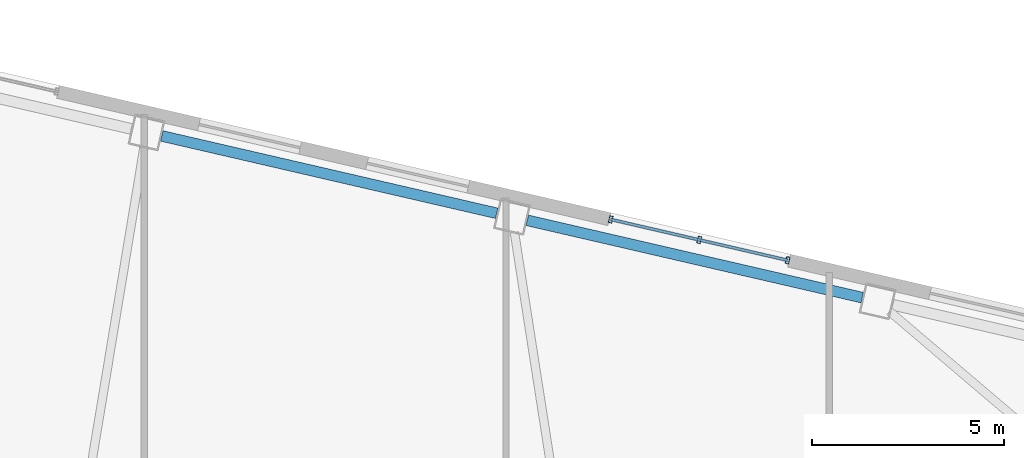
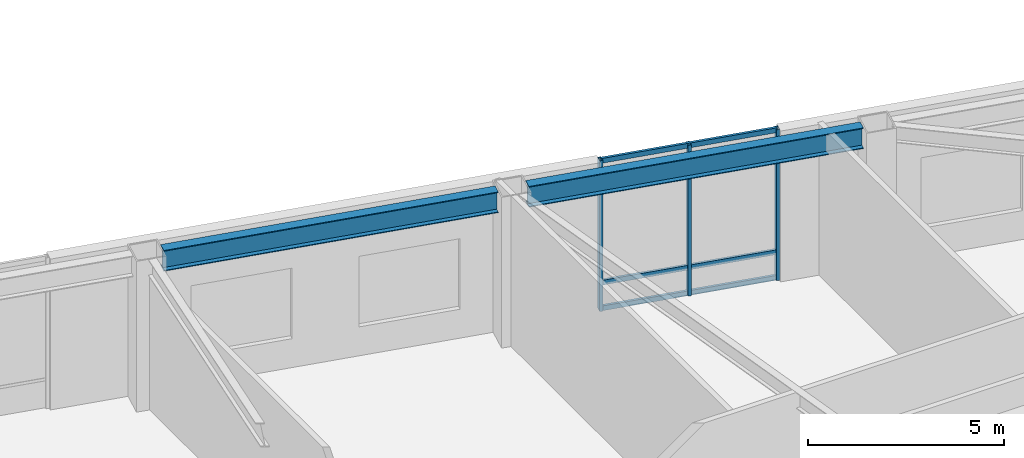
# One storey, part 7 of 20: 6 members, 2 beams, 1 element without a shape of its own.
"""IFC4 building model written with IfcOpenShell, lengths in metres."""

import ifcopenshell
import ifcopenshell.guid

model = None  # the IFC model being written
_history = None  # IfcOwnerHistory: only IFC2X3 demands one
_inside = {}  # id of a spatial element -> (the spatial element, [elements in it])
_under = {}  # id of a project, library or spatial element -> (it, [spatial elements below it])
_declared = {}  # id of a project -> (the project, [libraries it declares])
_typed = {}  # id of a type object -> (the type object, [elements of that type])
_made_of = {}  # id of a material, layer set ... -> (it, [elements and type objects made of it])


def new_model(schema):
    """Start an empty IFC model of exactly this schema.

    Asked for "IFC4X3", IfcOpenShell would pick the latest addendum, in which some entities
    have other attributes; the version numbers below select the first issue.
    IFC2X3 requires an IfcOwnerHistory on every rooted entity: one is made here for all.
    """
    global model, _history
    if schema == "IFC4X3":
        model = ifcopenshell.file(schema_version=(4, 3, 0, 0))
    else:
        model = ifcopenshell.file(schema=schema)
    _inside.clear()
    _under.clear()
    _declared.clear()
    _typed.clear()
    _made_of.clear()
    _history = None
    if model.schema == "IFC2X3":
        org = make("IfcOrganization", Name="unknown")
        user = make(
            "IfcPersonAndOrganization",
            ThePerson=make("IfcPerson", FamilyName="unknown"),
            TheOrganization=org,
        )
        app = make(
            "IfcApplication",
            ApplicationDeveloper=org,
            Version="unknown",
            ApplicationFullName="unknown",
            ApplicationIdentifier="unknown",
        )
        _history = make(
            "IfcOwnerHistory",
            OwningUser=user,
            OwningApplication=app,
            ChangeAction="ADDED",
            CreationDate=0,
        )
    return model


def make(cls, **values):
    """One entity of the class cls with the attributes given. An attribute that is None is left unset."""
    return model.create_entity(
        cls, **{name: value for name, value in values.items() if value is not None}
    )


def rooted(cls, **values):
    """An entity with a GlobalId (a new one), such as an element, a storey or a relation."""
    return make(cls, GlobalId=ifcopenshell.guid.new(), OwnerHistory=_history, **values)


def si_unit(unit_type, name, prefix=None):
    """IfcSIUnit, for example si_unit("LENGTHUNIT", "METRE", prefix="MILLI")."""
    return make("IfcSIUnit", UnitType=unit_type, Prefix=prefix, Name=name)


def assignment(units):
    """IfcUnitAssignment: the units of a project."""
    return None if units is None else make("IfcUnitAssignment", Units=units)


def point(xyz):
    """IfcCartesianPoint."""
    return None if xyz is None else make("IfcCartesianPoint", Coordinates=xyz)


def direction(xyz):
    """IfcDirection."""
    return None if xyz is None else make("IfcDirection", DirectionRatios=xyz)


def frame(location, z_axis=None, x_axis=None):
    """IfcAxis2Placement3D, a coordinate frame: its origin and axes. An axis left out is left unset."""
    return make(
        "IfcAxis2Placement3D",
        Location=point(location),
        Axis=direction(z_axis),
        RefDirection=direction(x_axis),
    )


def frame_2d(location, x_axis=None):
    """IfcAxis2Placement2D, a coordinate frame in the plane: its origin and x axis."""
    return make(
        "IfcAxis2Placement2D", Location=point(location), RefDirection=direction(x_axis)
    )


def origin():
    """The frame at (0, 0, 0) with its axes left unset."""
    return frame((0.0, 0.0, 0.0))


def origin_2d():
    """The frame at (0, 0) in the plane with its x axis left unset."""
    return frame_2d((0.0, 0.0))


def place(relative_to, where):
    """IfcLocalPlacement: puts the frame where relative to a parent placement (None: the world)."""
    return make(
        "IfcLocalPlacement", PlacementRelTo=relative_to, RelativePlacement=where
    )


def context(
    kind, dimensions, precision=None, world=None, true_north=None, identifier=None
):
    """IfcGeometricRepresentationContext, for example the 3D "Model" context."""
    return make(
        "IfcGeometricRepresentationContext",
        ContextIdentifier=identifier,
        ContextType=kind,
        CoordinateSpaceDimension=dimensions,
        Precision=precision,
        WorldCoordinateSystem=world,
        TrueNorth=true_north,
    )


def subcontext(parent, identifier, kind, view, scale=None):
    """IfcGeometricRepresentationSubContext, for example "Body" below "Model"."""
    return make(
        "IfcGeometricRepresentationSubContext",
        ContextIdentifier=identifier,
        ContextType=kind,
        ParentContext=parent,
        TargetScale=scale,
        TargetView=view,
    )


def project(units=None, contexts=None):
    """IfcProject with its units and contexts."""
    return rooted(
        "IfcProject",
        Name="project",
        RepresentationContexts=contexts,
        UnitsInContext=assignment(units),
    )


def spatial(cls, under=None, at=None, **own):
    """A site, building, storey or space (cls), placed at a placement, below another one or the project."""
    s = rooted(cls, ObjectPlacement=at, **own)
    if under is not None:
        _under.setdefault(under.id(), (under, []))[1].append(s)
    return s


def profile(cls, at=None, kind="AREA", **sizes):
    """A parametric profile (cls). Its sizes go by their IFC names, for example OverallWidth=200.0."""
    return make(cls, ProfileType=kind, Position=at, **sizes)


def hollow_rectangle(**sizes):
    """IfcRectangleHollowProfileDef."""
    return profile("IfcRectangleHollowProfileDef", **sizes)


def i_section(**sizes):
    """IfcIShapeProfileDef."""
    return profile("IfcIShapeProfileDef", **sizes)


def extrude(swept, where, along, depth):
    """IfcExtrudedAreaSolid: the profile swept, set in the frame where, extruded along a direction by depth."""
    return make(
        "IfcExtrudedAreaSolid",
        SweptArea=swept,
        Position=where,
        ExtrudedDirection=direction(along),
        Depth=depth,
    )


def shape(context_of_items, identifier, shape_type, items):
    """IfcShapeRepresentation: the items that make up one representation, for example the "Body"."""
    return make(
        "IfcShapeRepresentation",
        ContextOfItems=context_of_items,
        RepresentationIdentifier=identifier,
        RepresentationType=shape_type,
        Items=items,
    )


def material(Name=None, Category=None):
    """IfcMaterial."""
    return make("IfcMaterial", Name=Name, Category=Category)


def layer(
    of_material, thickness, ventilated=None, Name=None, Category=None, Priority=None
):
    """IfcMaterialLayer: one layer of a wall or slab, of a material (None: an air gap)."""
    return make(
        "IfcMaterialLayer",
        Material=of_material,
        LayerThickness=thickness,
        IsVentilated=ventilated,
        Name=Name,
        Category=Category,
        Priority=Priority,
    )


def layer_set(layers, Name=None):
    """IfcMaterialLayerSet."""
    return make("IfcMaterialLayerSet", MaterialLayers=layers, LayerSetName=Name)


def material_profile(
    of_material, cross_section, Name=None, Category=None, Priority=None
):
    """IfcMaterialProfile: a cross section and its material."""
    return make(
        "IfcMaterialProfile",
        Name=Name,
        Material=of_material,
        Profile=cross_section,
        Priority=Priority,
        Category=Category,
    )


def profile_set(profiles, Name=None, composite=None):
    """IfcMaterialProfileSet."""
    return make(
        "IfcMaterialProfileSet",
        Name=Name,
        MaterialProfiles=profiles,
        CompositeProfile=composite,
    )


def made_of(thing, what):
    """Note that an element or type object is made of a material, layer set ...; save() writes the relation."""
    if what is not None:
        _made_of.setdefault(what.id(), (what, []))[1].append(thing)
    return thing


def type_object(cls, material=None, **own):
    """A type object (cls), such as IfcWallType, which elements share."""
    return made_of(rooted(cls, **own), material)


def element(
    cls,
    number,
    at=None,
    inside=None,
    cuts=None,
    type_object=None,
    material=None,
    context=None,
    identifier="Body",
    shape_type=None,
    held_by="IfcProductDefinitionShape",
    body=None,
    shapes=None,
    **own,
):
    """One element of the class cls, such as IfcWall. Its Tag is "e" and its number.

    at: its placement. inside: the storey or other place that contains it. cuts: it is an
    opening in that element (IfcRelVoidsElement). A single representation is given by context,
    identifier, shape_type and body (its items); several are given by shapes. held_by: the class
    of the entity that holds the representations. save() writes the other relations.
    """
    e = rooted(cls, Tag="e%d" % number, ObjectPlacement=at, **own)
    if body is not None:
        shapes = [shape(context, identifier, shape_type, body)]
    if shapes is not None:
        e.Representation = make(held_by, Representations=shapes)
    if inside is not None:
        _inside.setdefault(inside.id(), (inside, []))[1].append(e)
    if cuts is not None:
        rooted(
            "IfcRelVoidsElement", RelatingBuildingElement=cuts, RelatedOpeningElement=e
        )
    if type_object is not None:
        _typed.setdefault(type_object.id(), (type_object, []))[1].append(e)
    return made_of(e, material)


def aggregate(whole, parts):
    """IfcRelAggregates: a whole, such as a stair, and the parts it consists of."""
    return rooted("IfcRelAggregates", RelatingObject=whole, RelatedObjects=parts)


def save(model, path):
    """Write the relations noted so far, then the file.

    IfcRelAggregates (storeys below a building ...), IfcRelContainedInSpatialStructure (elements
    in a storey), IfcRelDefinesByType, IfcRelAssociatesMaterial and IfcRelDeclares: one each for
    every whole, place, type object, material and project.
    """
    for whole, parts in _under.values():
        aggregate(whole, parts)
    for where, things in _inside.values():
        rooted(
            "IfcRelContainedInSpatialStructure",
            RelatedElements=things,
            RelatingStructure=where,
        )
    for kind, things in _typed.values():
        rooted("IfcRelDefinesByType", RelatedObjects=things, RelatingType=kind)
    for what, things in _made_of.values():
        rooted("IfcRelAssociatesMaterial", RelatedObjects=things, RelatingMaterial=what)
    for by, libraries in _declared.values():
        rooted("IfcRelDeclares", RelatingContext=by, RelatedDefinitions=libraries)
    model.write(path)


model = new_model("IFC4")

# Units and contexts
model_context = context("Model", 3, precision=1e-05, world=origin(), true_north=direction((0.0, 1.0)))
body_context = subcontext(model_context, "Body", "Model", "MODEL_VIEW")
ifc_project = project(units=[si_unit("LENGTHUNIT", "METRE"), si_unit("AREAUNIT", "SQUARE_METRE"), si_unit("VOLUMEUNIT", "CUBIC_METRE"), si_unit("PLANEANGLEUNIT", "RADIAN"), si_unit("MASSUNIT", "GRAM", prefix="KILO")], contexts=[model_context])

# Site, building, storey
site_placement = place(None, origin())
site = spatial("IfcSite", under=ifc_project, at=site_placement, CompositionType="ELEMENT")
building_placement = place(site_placement, origin())
building = spatial("IfcBuilding", under=site, at=building_placement, Name="Tavrogorsk Clinical Tower", CompositionType="ELEMENT")
storey_placement = place(building_placement, frame((0.0, 0.0, 13.39990234375)))
storey = spatial("IfcBuildingStorey", under=building, at=storey_placement, Name="L02", CompositionType="ELEMENT", Elevation=13.39990234375)

# Curtain wall, members
ifc_material_1 = material(Name="Anodised aluminium and triple IGU glazing", Category="aluminium")
ifc_layer = layer(ifc_material_1, 0.179931640625)
ifc_layer_set = layer_set([ifc_layer], Name="Anodised aluminium and triple IGU glazing")
curtain_wall_type = type_object("IfcCurtainWallType", Name="CW2_NorthSlot", PredefinedType="NOTDEFINED", material=ifc_layer_set)
curtain_wall_placement = place(storey_placement, origin())
curtain_wall = element("IfcCurtainWall", 1, at=curtain_wall_placement, inside=storey, type_object=curtain_wall_type, Name="L02 Curtain Wall CW-L02-N-SLOT-2", PredefinedType="NOTDEFINED")
ifc_material_2 = material(Name="Anodised aluminium alloy AW-6060", Category="aluminium")
ifc_material_profile_1 = material_profile(ifc_material_2, hollow_rectangle(XDim=0.090087890625, YDim=0.179931640625, WallThickness=0.00634765625, at=origin_2d()), Name="RHS-180x90x6.3")
ifc_profile_set_1 = profile_set([ifc_material_profile_1], Name="Anodised aluminium alloy AW-6060")
member_type_1 = type_object("IfcMemberType", Name="CwMullion_180x90", PredefinedType="MULLION", material=ifc_profile_set_1)
member_1_placement = place(storey_placement, frame((15.117919921875, 20.254638671875, 0.0), z_axis=(0.0, 0.0, 1.0), x_axis=(-0.974370046851, 0.224951132027, 0.0)))
member_1 = element("IfcMember", 2, at=member_1_placement, type_object=member_type_1, Name="CW-L02-N-SLOT-2 Mullion 1", PredefinedType="MULLION", context=body_context, shape_type="SweptSolid", body=[
    extrude(hollow_rectangle(XDim=0.090087890625, YDim=0.179931640625, WallThickness=0.00634765625, at=origin_2d()), origin(), (0.0, 0.0, 1.0), 4.7001953125),
])
member_2_placement = place(storey_placement, frame((12.8193359375, 20.78515625, 0.0), z_axis=(0.0, 0.0, 1.0), x_axis=(-0.974370046851, 0.224951132027, 0.0)))
member_2 = element("IfcMember", 3, at=member_2_placement, type_object=member_type_1, Name="CW-L02-N-SLOT-2 Mullion 2", PredefinedType="MULLION", context=body_context, shape_type="SweptSolid", body=[
    extrude(hollow_rectangle(XDim=0.090087890625, YDim=0.179931640625, WallThickness=0.00634765625, at=origin_2d()), origin(), (0.0, 0.0, 1.0), 4.7001953125),
])
member_3_placement = place(storey_placement, frame((10.520751953125, 21.31591796875, 0.0), z_axis=(0.0, 0.0, 1.0), x_axis=(-0.974370046851, 0.224951132027, 0.0)))
member_3 = element("IfcMember", 4, at=member_3_placement, type_object=member_type_1, Name="CW-L02-N-SLOT-2 Mullion 3", PredefinedType="MULLION", context=body_context, shape_type="SweptSolid", body=[
    extrude(hollow_rectangle(XDim=0.090087890625, YDim=0.179931640625, WallThickness=0.00634765625, at=origin_2d()), origin(), (0.0, 0.0, 1.0), 4.7001953125),
])
ifc_material_3 = material(Name="Anodised aluminium alloy AW-6060", Category="aluminium")
ifc_material_profile_2 = material_profile(ifc_material_3, hollow_rectangle(XDim=0.074951171875, YDim=0.14990234375, WallThickness=0.0048828125, at=origin_2d()), Name="RHS-150x75x5")
ifc_profile_set_2 = profile_set([ifc_material_profile_2], Name="Anodised aluminium alloy AW-6060")
member_type_2 = type_object("IfcMemberType", Name="CwTransom_150x75", PredefinedType="USERDEFINED", material=ifc_profile_set_2)
member_4_placement = place(storey_placement, frame((15.117919921875, 20.254638671875, 0.050048828125), z_axis=(-0.974372877948, 0.22493886885, 0.0), x_axis=(-0.22493886885, -0.974372877948, 0.0)))
member_4 = element("IfcMember", 5, at=member_4_placement, type_object=member_type_2, Name="CW-L02-N-SLOT-2 Transom 1", ObjectType="TRANSOM", PredefinedType="USERDEFINED", context=body_context, shape_type="SweptSolid", body=[
    extrude(hollow_rectangle(XDim=0.074951171875, YDim=0.14990234375, WallThickness=0.0048828125, at=origin_2d()), origin(), (0.0, 0.0, 1.0), 4.718017578125),
])
member_5_placement = place(storey_placement, frame((15.117919921875, 20.254638671875, 0.85009765625), z_axis=(-0.974372877948, 0.22493886885, 0.0), x_axis=(-0.22493886885, -0.974372877948, 0.0)))
member_5 = element("IfcMember", 6, at=member_5_placement, type_object=member_type_2, Name="CW-L02-N-SLOT-2 Transom 2", ObjectType="TRANSOM", PredefinedType="USERDEFINED", context=body_context, shape_type="SweptSolid", body=[
    extrude(hollow_rectangle(XDim=0.074951171875, YDim=0.14990234375, WallThickness=0.0048828125, at=origin_2d()), origin(), (0.0, 0.0, 1.0), 4.718017578125),
])
member_6_placement = place(storey_placement, frame((15.117919921875, 20.254638671875, 4.650146484375), z_axis=(-0.974372877948, 0.22493886885, 0.0), x_axis=(-0.22493886885, -0.974372877948, 0.0)))
member_6 = element("IfcMember", 7, at=member_6_placement, type_object=member_type_2, Name="CW-L02-N-SLOT-2 Transom 3", ObjectType="TRANSOM", PredefinedType="USERDEFINED", context=body_context, shape_type="SweptSolid", body=[
    extrude(hollow_rectangle(XDim=0.074951171875, YDim=0.14990234375, WallThickness=0.0048828125, at=origin_2d()), origin(), (0.0, 0.0, 1.0), 4.718017578125),
])
aggregate(curtain_wall, [member_1, member_2, member_3, member_4, member_5, member_6])

# Beams
ifc_material_4 = material(Name="Structural steel S390", Category="steel")
ifc_material_profile_3 = material_profile(ifc_material_4, i_section(OverallWidth=0.280029296875, OverallDepth=0.64990234375, WebThickness=0.01611328125, FlangeThickness=0.02490234375, at=origin_2d()), Name="B-650x280x16x25")
ifc_profile_set_3 = profile_set([ifc_material_profile_3], Name="Structural steel S390")
beam_type = type_object("IfcBeamType", Name="SpandrelBeam_B650", PredefinedType="SPANDREL", material=ifc_profile_set_3)
for number, where, z_axis, x_axis, name in (
    (8, (17.056396484375, 19.28369140625, 4.375), (-0.974372766602, 0.224939351168, 0.0), (-0.224939351168, -0.974372766602, 0.0), "L02 Perimeter Spandrel N3-N4"),
    (9, (7.5576171875, 21.4765625, 4.375), (-0.974366775889, 0.224965299645, 0.0), (-0.224965299645, -0.974366775889, 0.0), "L02 Perimeter Spandrel N4-N5"),
):
    element("IfcBeam", number, at=place(storey_placement, frame(where, z_axis=z_axis, x_axis=x_axis)), inside=storey, type_object=beam_type, Name=name, PredefinedType="SPANDREL", context=body_context, shape_type="SweptSolid", body=[
        extrude(i_section(OverallWidth=0.280029296875, OverallDepth=0.64990234375, WebThickness=0.01611328125, FlangeThickness=0.02490234375, at=origin_2d()), origin(), (0.0, 0.0, 1.0), 8.9326171875),
    ])

save(model, "model.ifc")
